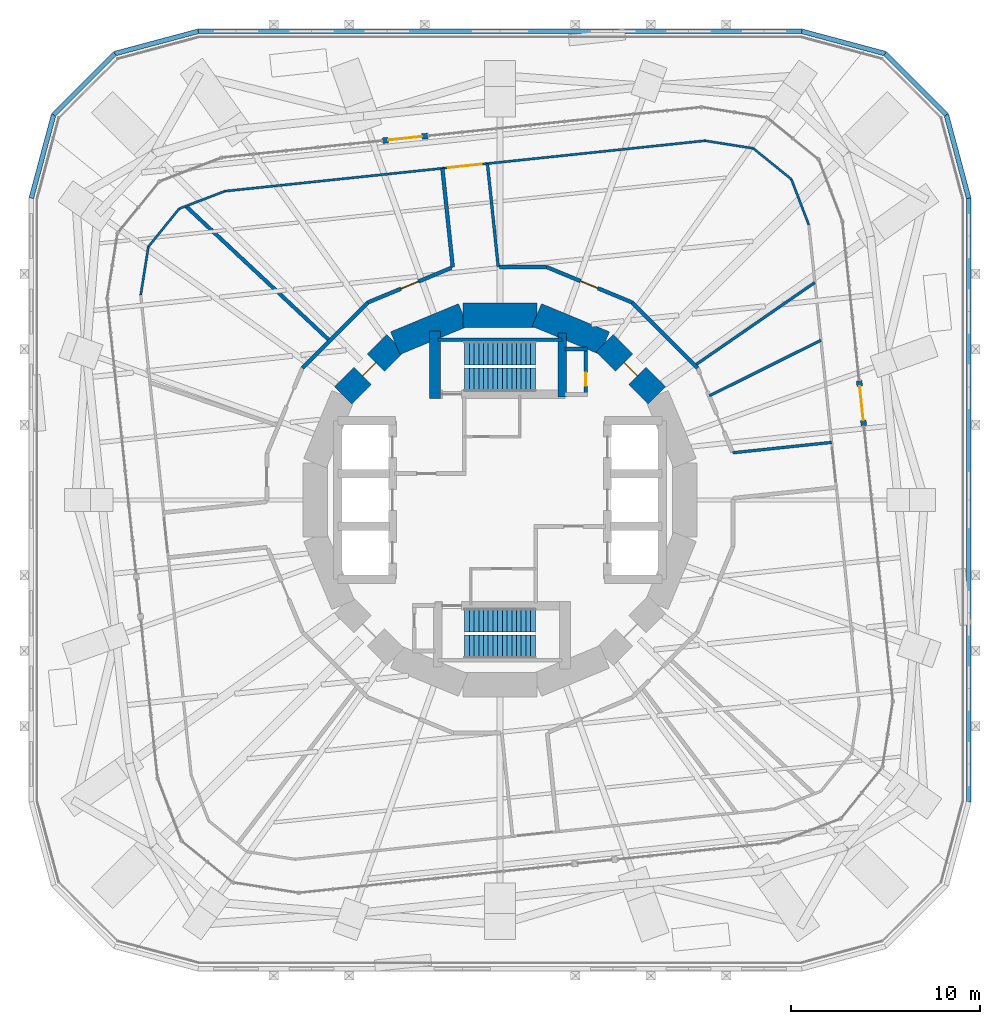
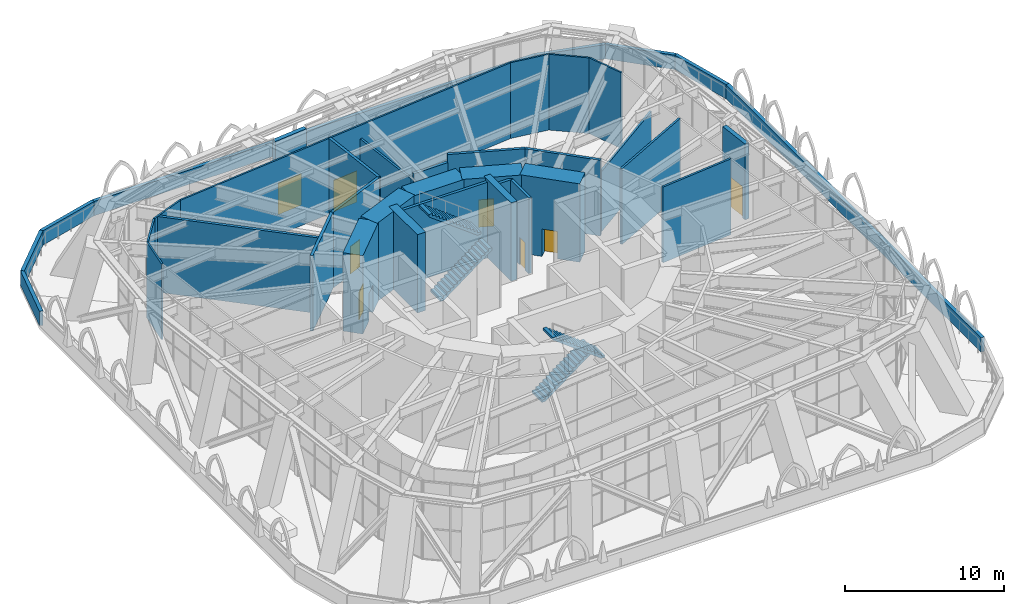
# One storey, part 17 of 20: 38 walls, 8 doors, 4 stair flights, 8 openings, 2 elements without a shape of their own.
"""IFC4 building model written with IfcOpenShell, lengths in metres."""

from ifc_helpers import new_model, si_unit, direction, frame, frame_2d, origin, place, context, subcontext, project, spatial, polyline, rectangle, outline, extrude, material, layer, layer_set, type_object, element, fill, aggregate, save


model = new_model("IFC4")

# Units and contexts
model_context = context("Model", 3, precision=1e-05, world=origin(), true_north=direction((0.0, 1.0)))
body_context = subcontext(model_context, "Body", "Model", "MODEL_VIEW")
ifc_project = project(units=[si_unit("LENGTHUNIT", "METRE"), si_unit("AREAUNIT", "SQUARE_METRE"), si_unit("VOLUMEUNIT", "CUBIC_METRE"), si_unit("PLANEANGLEUNIT", "RADIAN"), si_unit("MASSUNIT", "GRAM", prefix="KILO")], contexts=[model_context])

# Site, building, storey
site_placement = place(None, origin())
site = spatial("IfcSite", under=ifc_project, at=site_placement, CompositionType="ELEMENT")
building_placement = place(site_placement, origin())
building = spatial("IfcBuilding", under=site, at=building_placement, Name="Nakasero Lantern House", CompositionType="ELEMENT")
storey_placement = place(building_placement, frame((0.0, 0.0, 54.5)))
storey = spatial("IfcBuildingStorey", under=building, at=storey_placement, Name="L13", CompositionType="ELEMENT", Elevation=54.5)

# Walls
ifc_material_1 = material(Name="Concrete C50/60", Category="concrete")
ifc_layer_1 = layer(ifc_material_1, 0.449951171875)
ifc_layer_set_1 = layer_set([ifc_layer_1], Name="Core inner wall 450")
wall_type_1 = type_object("IfcWallType", Name="Core inner wall 450", PredefinedType="SHEAR", material=ifc_layer_set_1)
wall_1_placement = place(storey_placement, frame((3.300048828125, 5.449951171875, 0.0), z_axis=(0.0, 0.0, 1.0), x_axis=(0.0, 1.0, 0.0)))
element("IfcWall", 1, at=wall_1_placement, inside=storey, type_object=wall_type_1, Name="Core inner wall L13 SNE", PredefinedType="SHEAR", context=body_context, shape_type="SweptSolid", body=[
    extrude(rectangle(XDim=3.400146484375, YDim=0.449951171875, at=frame_2d((1.7001953125, 0.0))), origin(), (0.0, 0.0, 1.0), 6.0),
])
ifc_material_2 = material(Name="Concrete C50/60", Category="concrete")
ifc_layer_2 = layer(ifc_material_2, 0.60009765625)
ifc_layer_set_2 = layer_set([ifc_layer_2], Name="Core inner wall 600")
wall_type_2 = type_object("IfcWallType", Name="Core inner wall 600", PredefinedType="SHEAR", material=ifc_layer_set_2)
wall_2_placement = place(storey_placement, frame((-3.449951171875, 5.375, 0.0), z_axis=(0.0, 0.0, 1.0), x_axis=(0.0, 1.0, 0.0)))
element("IfcWall", 2, at=wall_2_placement, inside=storey, type_object=wall_type_2, Name="Core inner wall L13 SNW", PredefinedType="SHEAR", context=body_context, shape_type="SweptSolid", body=[
    extrude(rectangle(XDim=3.574951171875, YDim=0.60009765625, at=frame_2d((1.78759765625, 0.0))), origin(), (0.0, 0.0, 1.0), 6.0),
])

# Wall, opening, door
ifc_material_3 = material(Name="Concrete C50/60", Category="concrete")
ifc_layer_3 = layer(ifc_material_3, 1.300048828125)
ifc_layer_set_3 = layer_set([ifc_layer_3], Name="Core wall 1300")
wall_type_3 = type_object("IfcWallType", Name="Core wall 1300", PredefinedType="SHEAR", material=ifc_layer_set_3)
wall_3_placement = place(storey_placement, frame((8.314697265625, 5.5556640625, 0.0), z_axis=(0.0, 0.0, 1.0), x_axis=(-0.707106781187, 0.707106781187, 0.0)))
wall_3 = element("IfcWall", 3, at=wall_3_placement, inside=storey, type_object=wall_type_3, Name="Core wall L13 facet 2", PredefinedType="SHEAR", context=body_context, shape_type="SweptSolid", body=[
    extrude(rectangle(XDim=3.90185546875, YDim=1.300048828125, at=frame_2d((1.950927734375, 0.0))), origin(), (0.0, 0.0, 1.0), 6.0),
])
opening_1_placement = place(wall_3_placement, frame((1.450927734375, 0.0, 0.0)))
opening_1 = element("IfcOpeningElement", 4, at=opening_1_placement, cuts=wall_3, Name="Opening D05", PredefinedType="OPENING", context=body_context, shape_type="SweptSolid", body=[
    extrude(rectangle(XDim=1.0, YDim=2.10009765625, at=frame_2d((0.5, 1.050048828125))), frame((0.0, 0.669921875, 0.0), z_axis=(0.0, -1.0, 0.0), x_axis=(1.0, 0.0, 0.0)), (0.0, 0.0, 1.0), 1.340087890625),
])
ifc_material_4 = material(Name="Timber C24", Category="wood")
door_type_1 = type_object("IfcDoorType", Name="Core door FD60S 1000", OperationType="SINGLE_SWING_LEFT", PredefinedType="DOOR", material=ifc_material_4)
door_1_placement = place(opening_1_placement, origin())
door_1 = element("IfcDoor", 5, at=door_1_placement, inside=storey, type_object=door_type_1, Name="Door L13 D-CORE02", OperationType="SINGLE_SWING_LEFT", OverallHeight=2.10009765625, OverallWidth=1.0, PredefinedType="DOOR", context=body_context, shape_type="SweptSolid", body=[
    extrude(rectangle(XDim=1.0, YDim=2.10009765625, at=frame_2d((0.5, 1.050048828125))), frame((0.0, 0.02490234375, 0.0), z_axis=(0.0, -1.0, 0.0), x_axis=(1.0, 0.0, 0.0)), (0.0, 0.0, 1.0), 0.050048828125),
])
fill(opening_1, door_1)

# Walls
for number, where, z_axis, x_axis, name in (
    (6, (5.5556640625, 8.314697265625, 0.0), (0.0, 0.0, 1.0), (-0.923876507187, 0.382690736062, 0.0), "Core wall L13 facet 3"),
    (7, (1.950927734375, 9.807861328125, 0.0), (0.0, 0.0, 1.0), (-1.0, 0.0, 0.0), "Core wall L13 facet 4"),
    (8, (-1.950927734375, 9.807861328125, 0.0), (0.0, 0.0, 1.0), (-0.923876507187, -0.382690736062, 0.0), "Core wall L13 facet 5"),
):
    element("IfcWall", number, at=place(storey_placement, frame(where, z_axis=z_axis, x_axis=x_axis)), inside=storey, type_object=wall_type_3, Name=name, PredefinedType="SHEAR", context=body_context, shape_type="SweptSolid", body=[
        extrude(rectangle(XDim=3.90185546875, YDim=1.300048828125, at=frame_2d((1.950927734375, 0.0))), origin(), (0.0, 0.0, 1.0), 6.0),
    ])

# Wall, opening, door
wall_4_placement = place(storey_placement, frame((-5.5556640625, 8.314697265625, 0.0), z_axis=(0.0, 0.0, 1.0), x_axis=(-0.707106781187, -0.707106781187, 0.0)))
wall_4 = element("IfcWall", 9, at=wall_4_placement, inside=storey, type_object=wall_type_3, Name="Core wall L13 facet 6", PredefinedType="SHEAR", context=body_context, shape_type="SweptSolid", body=[
    extrude(rectangle(XDim=3.90185546875, YDim=1.300048828125, at=frame_2d((1.950927734375, 0.0))), origin(), (0.0, 0.0, 1.0), 6.0),
])
opening_2_placement = place(wall_4_placement, frame((1.450927734375, 0.0, 0.0)))
opening_2 = element("IfcOpeningElement", 10, at=opening_2_placement, cuts=wall_4, Name="Opening D05", PredefinedType="OPENING", context=body_context, shape_type="SweptSolid", body=[
    extrude(rectangle(XDim=1.0, YDim=2.10009765625, at=frame_2d((0.5, 1.050048828125))), frame((0.0, 0.669921875, 0.0), z_axis=(0.0, -1.0, 0.0), x_axis=(1.0, 0.0, 0.0)), (0.0, 0.0, 1.0), 1.340087890625),
])
door_2_placement = place(opening_2_placement, origin())
door_2 = element("IfcDoor", 11, at=door_2_placement, inside=storey, type_object=door_type_1, Name="Door L13 D-CORE06", OperationType="SINGLE_SWING_LEFT", OverallHeight=2.10009765625, OverallWidth=1.0, PredefinedType="DOOR", context=body_context, shape_type="SweptSolid", body=[
    extrude(rectangle(XDim=1.0, YDim=2.10009765625, at=frame_2d((0.5, 1.050048828125))), frame((0.0, 0.02490234375, 0.0), z_axis=(0.0, -1.0, 0.0), x_axis=(1.0, 0.0, 0.0)), (0.0, 0.0, 1.0), 0.050048828125),
])
fill(opening_2, door_2)

# Wall
ifc_material_5 = material(Name="Blockwork", Category="masonry")
ifc_layer_4 = layer(ifc_material_5, 0.199951171875)
ifc_layer_set_4 = layer_set([ifc_layer_4], Name="Corridor wall 200")
wall_type_4 = type_object("IfcWallType", Name="Corridor wall 200", PredefinedType="PARTITIONING", material=ifc_layer_set_4)
wall_5_placement = place(storey_placement, frame((-10.4765625, 7.000244140625, 0.0), z_axis=(0.0, 0.0, 1.0), x_axis=(0.707106781187, 0.707106781187, 0.0)))
element("IfcWall", 12, at=wall_5_placement, inside=storey, type_object=wall_type_4, Name="Corridor wall L13 TC10", PredefinedType="PARTITIONING", context=body_context, shape_type="SweptSolid", body=[
    extrude(rectangle(XDim=4.916259765625, YDim=0.199951171875, at=frame_2d((2.4580078125, 0.0))), origin(), (0.0, 0.0, 1.0), 5.800048828125),
])

# Wall, opening, door
wall_6_placement = place(storey_placement, frame((-7.000244140625, 10.4765625, 0.0), z_axis=(0.0, 0.0, 1.0), x_axis=(0.923893813783, 0.382648952505, 0.0)))
wall_6 = element("IfcWall", 13, at=wall_6_placement, inside=storey, type_object=wall_type_4, Name="Corridor wall L13 TC11", PredefinedType="PARTITIONING", context=body_context, shape_type="SweptSolid", body=[
    extrude(rectangle(XDim=4.7890625, YDim=0.199951171875, at=frame_2d((2.39453125, 0.0))), origin(), (0.0, 0.0, 1.0), 5.800048828125),
])
opening_3_placement = place(wall_6_placement, frame((1.89453125, 0.0, 0.0)))
opening_3 = element("IfcOpeningElement", 14, at=opening_3_placement, cuts=wall_6, Name="Opening D13", PredefinedType="OPENING", context=body_context, shape_type="SweptSolid", body=[
    extrude(rectangle(XDim=1.0, YDim=2.10009765625, at=frame_2d((0.5, 1.050048828125))), frame((0.0, 0.119873046875, 0.0), z_axis=(0.0, -1.0, 0.0), x_axis=(1.0, 0.0, 0.0)), (0.0, 0.0, 1.0), 0.239990234375),
])
ifc_material_6 = material(Name="Steel S355", Category="steel")
door_type_2 = type_object("IfcDoorType", Name="Plant room door FD60 1000", OperationType="SINGLE_SWING_LEFT", PredefinedType="DOOR", material=ifc_material_6)
door_3_placement = place(opening_3_placement, origin())
door_3 = element("IfcDoor", 15, at=door_3_placement, inside=storey, type_object=door_type_2, Name="Door L13 TDR10", OperationType="SINGLE_SWING_LEFT", OverallHeight=2.10009765625, OverallWidth=1.0, PredefinedType="DOOR", context=body_context, shape_type="SweptSolid", body=[
    extrude(rectangle(XDim=1.0, YDim=2.10009765625, at=frame_2d((0.5, 1.050048828125))), frame((0.0, 0.02490234375, 0.0), z_axis=(0.0, -1.0, 0.0), x_axis=(1.0, 0.0, 0.0)), (0.0, 0.0, 1.0), 0.050048828125),
])
fill(opening_3, door_3)

# Wall
wall_7_placement = place(storey_placement, frame((-0.016845703125, 12.35791015625, 0.0), z_axis=(0.0, 0.0, 1.0), x_axis=(1.0, 0.0, 0.0)))
element("IfcWall", 16, at=wall_7_placement, inside=storey, type_object=wall_type_4, Name="Corridor wall L13 TC12", PredefinedType="PARTITIONING", context=body_context, shape_type="SweptSolid", body=[
    extrude(rectangle(XDim=2.474853515625, YDim=0.199951171875, at=frame_2d((1.2373046875, 0.0))), origin(), (0.0, 0.0, 1.0), 5.187744140625),
])

# Wall, opening, door
wall_8_placement = place(storey_placement, frame((2.4580078125, 12.35791015625, 0.0), z_axis=(0.0, 0.0, 1.0), x_axis=(0.923887315722, -0.382664641492, 0.0)))
wall_8 = element("IfcWall", 17, at=wall_8_placement, inside=storey, type_object=wall_type_4, Name="Corridor wall L13 TC13", PredefinedType="PARTITIONING", context=body_context, shape_type="SweptSolid", body=[
    extrude(rectangle(XDim=4.91650390625, YDim=0.199951171875, at=frame_2d((2.458251953125, 0.0))), origin(), (0.0, 0.0, 1.0), 5.800048828125),
])
opening_4_placement = place(wall_8_placement, frame((1.958251953125, 0.0, 0.0)))
opening_4 = element("IfcOpeningElement", 18, at=opening_4_placement, cuts=wall_8, Name="Opening D07", PredefinedType="OPENING", context=body_context, shape_type="SweptSolid", body=[
    extrude(rectangle(XDim=1.0, YDim=2.10009765625, at=frame_2d((0.5, 1.050048828125))), frame((0.0, 0.119873046875, 0.0), z_axis=(0.0, -1.0, 0.0), x_axis=(1.0, 0.0, 0.0)), (0.0, 0.0, 1.0), 0.239990234375),
])
ifc_material_7 = material(Name="Timber C24", Category="wood")
door_type_3 = type_object("IfcDoorType", Name="Room door FD30S 1000", OperationType="SINGLE_SWING_LEFT", PredefinedType="DOOR", material=ifc_material_7)
door_4_placement = place(opening_4_placement, origin())
door_4 = element("IfcDoor", 19, at=door_4_placement, inside=storey, type_object=door_type_3, Name="Door L13 TDR02", OperationType="SINGLE_SWING_RIGHT", OverallHeight=2.10009765625, OverallWidth=1.0, PredefinedType="DOOR", context=body_context, shape_type="SweptSolid", body=[
    extrude(rectangle(XDim=1.0, YDim=2.10009765625, at=frame_2d((0.5, 1.050048828125))), frame((0.0, 0.02490234375, 0.0), z_axis=(0.0, -1.0, 0.0), x_axis=(1.0, 0.0, 0.0)), (0.0, 0.0, 1.0), 0.050048828125),
])
fill(opening_4, door_4)

# Wall
wall_9_placement = place(storey_placement, frame((7.000244140625, 10.4765625, 0.0), z_axis=(0.0, 0.0, 1.0), x_axis=(0.707106781187, -0.707106781187, 0.0)))
element("IfcWall", 20, at=wall_9_placement, inside=storey, type_object=wall_type_4, Name="Corridor wall L13 TC14", PredefinedType="PARTITIONING", context=body_context, shape_type="SweptSolid", body=[
    extrude(rectangle(XDim=4.916259765625, YDim=0.199951171875, at=frame_2d((2.4580078125, 0.0))), origin(), (0.0, 0.0, 1.0), 5.800048828125),
])

# Wall, opening, door
ifc_material_8 = material(Name="Concrete C40/50", Category="concrete")
ifc_layer_5 = layer(ifc_material_8, 0.300048828125)
ifc_layer_set_5 = layer_set([ifc_layer_5], Name="Entrance portal wall 300")
wall_type_5 = type_object("IfcWallType", Name="Entrance portal wall 300", PredefinedType="SOLIDWALL", material=ifc_layer_set_5)
wall_10_placement = place(storey_placement, frame((19.29296875, 3.938232421875, 0.0), z_axis=(0.0, 0.0, 1.0), x_axis=(-0.104467683877, 0.994528281662, 0.0)))
wall_10 = element("IfcWall", 21, at=wall_10_placement, inside=storey, type_object=wall_type_5, Name="Sky lounge door wall L13 0", PredefinedType="SOLIDWALL", context=body_context, shape_type="SweptSolid", body=[
    extrude(rectangle(XDim=2.400146484375, YDim=0.300048828125, at=frame_2d((1.2001953125, 0.0))), origin(), (0.0, 0.0, 1.0), 5.800048828125),
])
opening_5_placement = place(wall_10_placement, frame((0.300048828125, 0.0, 0.0)))
opening_5 = element("IfcOpeningElement", 22, at=opening_5_placement, cuts=wall_10, Name="Opening D10", PredefinedType="OPENING", context=body_context, shape_type="SweptSolid", body=[
    extrude(rectangle(XDim=1.800048828125, YDim=2.39990234375, at=frame_2d((0.89990234375, 1.199951171875))), frame((0.0, 0.169921875, 0.0), z_axis=(0.0, -1.0, 0.0), x_axis=(1.0, 0.0, 0.0)), (0.0, 0.0, 1.0), 0.340087890625),
])
ifc_material_9 = material(Name="Aluminium 6063-T6 and glass", Category="aluminium")
door_type_4 = type_object("IfcDoorType", Name="Sky garden doors 1800x2400", OperationType="DOUBLE_DOOR_SINGLE_SWING", PredefinedType="DOOR", material=ifc_material_9)
door_5_placement = place(opening_5_placement, origin())
door_5 = element("IfcDoor", 23, at=door_5_placement, inside=storey, type_object=door_type_4, Name="Sky garden door L13 0", OperationType="DOUBLE_DOOR_SINGLE_SWING", OverallHeight=2.39990234375, OverallWidth=1.800048828125, PredefinedType="DOOR", context=body_context, shape_type="SweptSolid", body=[
    extrude(rectangle(XDim=1.800048828125, YDim=2.39990234375, at=frame_2d((0.89990234375, 1.199951171875))), frame((0.0, 0.02490234375, 0.0), z_axis=(0.0, -1.0, 0.0), x_axis=(1.0, 0.0, 0.0)), (0.0, 0.0, 1.0), 0.050048828125),
])
fill(opening_5, door_5)

wall_11_placement = place(storey_placement, frame((-3.8388671875, 19.303466796875, 0.0), z_axis=(0.0, 0.0, 1.0), x_axis=(-0.994527171359, -0.104478253374, 0.0)))
wall_11 = element("IfcWall", 24, at=wall_11_placement, inside=storey, type_object=wall_type_5, Name="Sky lounge door wall L13 1", PredefinedType="SOLIDWALL", context=body_context, shape_type="SweptSolid", body=[
    extrude(rectangle(XDim=2.39990234375, YDim=0.300048828125, at=frame_2d((1.199951171875, 0.0))), origin(), (0.0, 0.0, 1.0), 5.800048828125),
])
opening_6_placement = place(wall_11_placement, frame((0.300048828125, 0.0, 0.0)))
opening_6 = element("IfcOpeningElement", 25, at=opening_6_placement, cuts=wall_11, Name="Opening D10", PredefinedType="OPENING", context=body_context, shape_type="SweptSolid", body=[
    extrude(rectangle(XDim=1.800048828125, YDim=2.39990234375, at=frame_2d((0.89990234375, 1.199951171875))), frame((0.0, 0.169921875, 0.0), z_axis=(0.0, -1.0, 0.0), x_axis=(1.0, 0.0, 0.0)), (0.0, 0.0, 1.0), 0.340087890625),
])
door_6_placement = place(opening_6_placement, origin())
door_6 = element("IfcDoor", 26, at=door_6_placement, inside=storey, type_object=door_type_4, Name="Sky garden door L13 1", OperationType="DOUBLE_DOOR_SINGLE_SWING", OverallHeight=2.39990234375, OverallWidth=1.800048828125, PredefinedType="DOOR", context=body_context, shape_type="SweptSolid", body=[
    extrude(rectangle(XDim=1.800048828125, YDim=2.39990234375, at=frame_2d((0.89990234375, 1.199951171875))), frame((0.0, 0.02490234375, 0.0), z_axis=(0.0, -1.0, 0.0), x_axis=(1.0, 0.0, 0.0)), (0.0, 0.0, 1.0), 0.050048828125),
])
fill(opening_6, door_6)

ifc_material_10 = material(Name="Blockwork", Category="masonry")
ifc_layer_6 = layer(ifc_material_10, 0.199951171875)
ifc_layer_set_6 = layer_set([ifc_layer_6], Name="Fire lobby wall 200")
wall_type_6 = type_object("IfcWallType", Name="Fire lobby wall 200", PredefinedType="PARTITIONING", material=ifc_layer_set_6)
wall_12_placement = place(storey_placement, frame((4.550048828125, 5.60009765625, 0.0), z_axis=(0.0, 0.0, 1.0), x_axis=(0.0, 1.0, 0.0)))
wall_12 = element("IfcWall", 27, at=wall_12_placement, inside=storey, type_object=wall_type_6, Name="Fire lobby wall L13 W-RS1E", PredefinedType="PARTITIONING", context=body_context, shape_type="SweptSolid", body=[
    extrude(rectangle(XDim=2.39990234375, YDim=0.199951171875, at=frame_2d((1.199951171875, 0.0))), origin(), (0.0, 0.0, 1.0), 5.800048828125),
])
opening_7_placement = place(wall_12_placement, frame((0.449951171875, 0.0, 0.0)))
opening_7 = element("IfcOpeningElement", 28, at=opening_7_placement, cuts=wall_12, Name="Opening D06", PredefinedType="OPENING", context=body_context, shape_type="SweptSolid", body=[
    extrude(rectangle(XDim=0.699951171875, YDim=2.10009765625, at=frame_2d((0.35009765625, 1.050048828125))), frame((0.0, 0.119873046875, 0.0), z_axis=(0.0, -1.0, 0.0), x_axis=(1.0, 0.0, 0.0)), (0.0, 0.0, 1.0), 0.239990234375),
])
ifc_material_11 = material(Name="Steel S355", Category="steel")
door_type_5 = type_object("IfcDoorType", Name="Riser door FD60 700", OperationType="SINGLE_SWING_LEFT", PredefinedType="DOOR", material=ifc_material_11)
door_7_placement = place(opening_7_placement, origin())
door_7 = element("IfcDoor", 29, at=door_7_placement, inside=storey, type_object=door_type_5, Name="Door L13 D-RS1", OperationType="SINGLE_SWING_LEFT", OverallHeight=2.10009765625, OverallWidth=0.699951171875, PredefinedType="DOOR", context=body_context, shape_type="SweptSolid", body=[
    extrude(rectangle(XDim=0.699951171875, YDim=2.10009765625, at=frame_2d((0.35009765625, 1.050048828125))), frame((0.0, 0.02490234375, 0.0), z_axis=(0.0, -1.0, 0.0), x_axis=(1.0, 0.0, 0.0)), (0.0, 0.0, 1.0), 0.050048828125),
])
fill(opening_7, door_7)

# Walls
wall_13_placement = place(storey_placement, frame((3.449951171875, 8.0, 0.0), z_axis=(0.0, 0.0, 1.0), x_axis=(1.0, 0.0, 0.0)))
element("IfcWall", 30, at=wall_13_placement, inside=storey, type_object=wall_type_6, Name="Fire lobby wall L13 W-RS1N", PredefinedType="PARTITIONING", context=body_context, shape_type="SweptSolid", body=[
    extrude(rectangle(XDim=1.199951171875, YDim=0.199951171875, at=frame_2d((0.60009765625, 0.0))), origin(), (0.0, 0.0, 1.0), 5.800048828125),
])
wall_14_placement = place(storey_placement, frame((-3.300048828125, 8.5, 0.0), z_axis=(0.0, 0.0, 1.0), x_axis=(1.0, 0.0, 0.0)))
element("IfcWall", 31, at=wall_14_placement, inside=storey, type_object=wall_type_6, Name="Fire lobby wall L13 W-STN", PredefinedType="PARTITIONING", context=body_context, shape_type="SweptSolid", body=[
    extrude(rectangle(XDim=6.60009765625, YDim=0.199951171875, at=frame_2d((3.300048828125, 0.0))), origin(), (0.0, 0.0, 1.0), 5.800048828125),
])
wall_15_placement = place(storey_placement, frame((-9.029541015625, 8.447021484375, 0.0), z_axis=(0.0, 0.0, 1.0), x_axis=(-0.730280443475, 0.683147475936, 0.0)))
element("IfcWall", 32, at=wall_15_placement, inside=storey, type_object=wall_type_6, Name="Fire lobby wall L13 TD10", PredefinedType="PARTITIONING", context=body_context, shape_type="SweptSolid", body=[
    extrude(rectangle(XDim=10.442626953125, YDim=0.199951171875, at=frame_2d((5.22119140625, 0.0))), origin(), (0.0, 0.0, 1.0), 5.800048828125),
])
wall_16_placement = place(storey_placement, frame((-2.50341796875, 12.339111328125, 0.0), z_axis=(0.0, 0.0, 1.0), x_axis=(-0.10454265205, 0.994520403965, 0.0)))
element("IfcWall", 33, at=wall_16_placement, inside=storey, type_object=wall_type_6, Name="Fire lobby wall L13 TP1L", PredefinedType="PARTITIONING", context=body_context, shape_type="SweptSolid", body=[
    extrude(rectangle(XDim=5.275390625, YDim=0.199951171875, at=frame_2d((2.6376953125, 0.0))), origin(), (0.0, 0.0, 1.0), 5.800048828125),
])
ifc_material_12 = material(Name="Aluminium 6063-T6 and glass", Category="aluminium")
ifc_layer_7 = layer(ifc_material_12, 0.1201171875)
ifc_layer_set_7 = layer_set([ifc_layer_7], Name="Glazed screen 120")
wall_type_7 = type_object("IfcWallType", Name="Glazed screen 120", PredefinedType="PARTITIONING", material=ifc_layer_set_7)
for number, where, z_axis, x_axis, name in (
    (34, (16.373291015625, 14.59130859375, 0.0), (0.0, 0.0, 1.0), (-0.358366972356, 0.933580801605, 0.0), "Glazed screen L13 WG0C1"),
    (35, (15.444091796875, 17.011962890625, 0.0), (0.0, 0.0, 1.0), (-0.777152760202, 0.629311995206, 0.0), "Glazed screen L13 WG0C2"),
    (36, (13.42919921875, 18.6435546875, 0.0), (0.0, 0.0, 1.0), (-0.98769262344, 0.156407421826, 0.0), "Glazed screen L13 WG0C3"),
):
    element("IfcWall", number, at=place(storey_placement, frame(where, z_axis=z_axis, x_axis=x_axis)), inside=storey, type_object=wall_type_7, Name=name, PredefinedType="PARTITIONING", context=body_context, shape_type="SweptSolid", body=[
        extrude(rectangle(XDim=2.5927734375, YDim=0.1201171875, at=frame_2d((1.29638671875, 0.0))), origin(), (0.0, 0.0, 1.0), 5.800048828125),
    ])

# Wall, opening, door
wall_17_placement = place(storey_placement, frame((10.868408203125, 19.049072265625, 0.0), z_axis=(0.0, 0.0, 1.0), x_axis=(-0.99452247529, -0.104522945535, 0.0)))
wall_17 = element("IfcWall", 37, at=wall_17_placement, inside=storey, type_object=wall_type_7, Name="Glazed screen L13 WG1S", PredefinedType="PARTITIONING", context=body_context, shape_type="SweptSolid", body=[
    extrude(rectangle(XDim=25.599853515625, YDim=0.1201171875, at=frame_2d((12.7998046875, 0.0))), origin(), (0.0, 0.0, 1.0), 5.800048828125),
])
opening_8_placement = place(wall_17_placement, frame((11.89990234375, 0.0, 0.0)))
opening_8 = element("IfcOpeningElement", 38, at=opening_8_placement, cuts=wall_17, Name="Opening D18", PredefinedType="OPENING", context=body_context, shape_type="SweptSolid", body=[
    extrude(rectangle(XDim=1.800048828125, YDim=2.39990234375, at=frame_2d((0.89990234375, 1.199951171875))), frame((0.0, 0.080078125, 0.0), z_axis=(0.0, -1.0, 0.0), x_axis=(1.0, 0.0, 0.0)), (0.0, 0.0, 1.0), 0.16015625),
])
ifc_material_13 = material(Name="Aluminium 6063-T6 and glass", Category="aluminium")
door_type_6 = type_object("IfcDoorType", Name="Glazed screen door 1800", OperationType="DOUBLE_DOOR_SINGLE_SWING", PredefinedType="DOOR", material=ifc_material_13)
door_8_placement = place(opening_8_placement, origin())
door_8 = element("IfcDoor", 39, at=door_8_placement, inside=storey, type_object=door_type_6, Name="Door L13 DW1", OperationType="DOUBLE_DOOR_SINGLE_SWING", OverallHeight=2.39990234375, OverallWidth=1.800048828125, PredefinedType="DOOR", context=body_context, shape_type="SweptSolid", body=[
    extrude(rectangle(XDim=1.800048828125, YDim=2.39990234375, at=frame_2d((0.89990234375, 1.199951171875))), frame((0.0, 0.02490234375, 0.0), z_axis=(0.0, -1.0, 0.0), x_axis=(1.0, 0.0, 0.0)), (0.0, 0.0, 1.0), 0.050048828125),
])
fill(opening_8, door_8)

# Walls
for number, where, z_axis, x_axis, name in (
    (40, (-14.59130859375, 16.373291015625, 0.0), (0.0, 0.0, 1.0), (-0.933580801605, -0.358366972356, 0.0), "Glazed screen L13 WG1C1"),
    (41, (-17.011962890625, 15.444091796875, 0.0), (0.0, 0.0, 1.0), (-0.629311995206, -0.777152760202, 0.0), "Glazed screen L13 WG1C2"),
    (42, (-18.6435546875, 13.42919921875, 0.0), (0.0, 0.0, 1.0), (-0.156407421826, -0.98769262344, 0.0), "Glazed screen L13 WG1C3"),
):
    element("IfcWall", number, at=place(storey_placement, frame(where, z_axis=z_axis, x_axis=x_axis)), inside=storey, type_object=wall_type_7, Name=name, PredefinedType="PARTITIONING", context=body_context, shape_type="SweptSolid", body=[
        extrude(rectangle(XDim=2.5927734375, YDim=0.1201171875, at=frame_2d((1.29638671875, 0.0))), origin(), (0.0, 0.0, 1.0), 5.800048828125),
    ])
ifc_material_14 = material(Name="Concrete C35/45", Category="concrete")
ifc_layer_8 = layer(ifc_material_14, 0.25)
ifc_layer_set_8 = layer_set([ifc_layer_8], Name="Parapet 250")
wall_type_8 = type_object("IfcWallType", Name="Parapet 250", PredefinedType="SOLIDWALL", material=ifc_layer_set_8)
wall_18_placement = place(storey_placement, frame((24.85009765625, -16.0, 0.0), z_axis=(0.0, 0.0, 1.0), x_axis=(0.0, 1.0, 0.0)))
element("IfcWall", 43, at=wall_18_placement, inside=storey, type_object=wall_type_8, Name="Parapet L13 PP0S", PredefinedType="SOLIDWALL", context=body_context, shape_type="SweptSolid", body=[
    extrude(rectangle(XDim=32.0, YDim=0.25, at=frame_2d((16.0, 0.0))), origin(), (0.0, 0.0, 1.0), 1.10009765625),
])
for number, where, z_axis, x_axis, name in (
    (44, (24.85009765625, 16.0, 0.0), (0.0, 0.0, 1.0), (-0.258839972501, 0.965920218567, 0.0), "Parapet L13 PP0C1"),
    (45, (23.664306640625, 20.425048828125, 0.0), (0.0, 0.0, 1.0), (-0.707106781187, 0.707106781187, 0.0), "Parapet L13 PP0C2"),
    (46, (20.425048828125, 23.664306640625, 0.0), (0.0, 0.0, 1.0), (-0.965920218567, 0.258839972501, 0.0), "Parapet L13 PP0C3"),
):
    element("IfcWall", number, at=place(storey_placement, frame(where, z_axis=z_axis, x_axis=x_axis)), inside=storey, type_object=wall_type_8, Name=name, PredefinedType="SOLIDWALL", context=body_context, shape_type="SweptSolid", body=[
        extrude(rectangle(XDim=4.5810546875, YDim=0.25, at=frame_2d((2.29052734375, 0.0))), origin(), (0.0, 0.0, 1.0), 1.10009765625),
    ])
wall_19_placement = place(storey_placement, frame((16.0, 24.85009765625, 0.0), z_axis=(0.0, 0.0, 1.0), x_axis=(-1.0, 0.0, 0.0)))
element("IfcWall", 47, at=wall_19_placement, inside=storey, type_object=wall_type_8, Name="Parapet L13 PP1S", PredefinedType="SOLIDWALL", context=body_context, shape_type="SweptSolid", body=[
    extrude(rectangle(XDim=32.0, YDim=0.25, at=frame_2d((16.0, 0.0))), origin(), (0.0, 0.0, 1.0), 1.10009765625),
])
for number, where, z_axis, x_axis, name in (
    (48, (-16.0, 24.85009765625, 0.0), (0.0, 0.0, 1.0), (-0.965920218567, -0.258839972501, 0.0), "Parapet L13 PP1C1"),
    (49, (-20.425048828125, 23.664306640625, 0.0), (0.0, 0.0, 1.0), (-0.707106781187, -0.707106781187, 0.0), "Parapet L13 PP1C2"),
    (50, (-23.664306640625, 20.425048828125, 0.0), (0.0, 0.0, 1.0), (-0.258839972501, -0.965920218567, 0.0), "Parapet L13 PP1C3"),
):
    element("IfcWall", number, at=place(storey_placement, frame(where, z_axis=z_axis, x_axis=x_axis)), inside=storey, type_object=wall_type_8, Name=name, PredefinedType="SOLIDWALL", context=body_context, shape_type="SweptSolid", body=[
        extrude(rectangle(XDim=4.5810546875, YDim=0.25, at=frame_2d((2.29052734375, 0.0))), origin(), (0.0, 0.0, 1.0), 1.10009765625),
    ])
ifc_material_15 = material(Name="Blockwork", Category="masonry")
ifc_layer_9 = layer(ifc_material_15, 0.14990234375)
ifc_layer_set_9 = layer_set([ifc_layer_9], Name="Party wall 150")
wall_type_9 = type_object("IfcWallType", Name="Party wall 150", PredefinedType="PARTITIONING", material=ifc_layer_set_9)
wall_20_placement = place(storey_placement, frame((11.090087890625, 5.518798828125, 0.0), z_axis=(0.0, 0.0, 1.0), x_axis=(0.895266443632, 0.445531137976, 0.0)))
element("IfcWall", 51, at=wall_20_placement, inside=storey, type_object=wall_type_9, Name="Party wall L13 TD00", PredefinedType="PARTITIONING", context=body_context, shape_type="SweptSolid", body=[
    extrude(rectangle(XDim=6.6201171875, YDim=0.14990234375, at=frame_2d((3.31005859375, 0.0))), origin(), (0.0, 0.0, 1.0), 5.800048828125),
])
wall_21_placement = place(storey_placement, frame((10.336181640625, 7.140625, 0.0), z_axis=(0.0, 0.0, 1.0), x_axis=(0.822760422423, 0.568388324383, 0.0)))
element("IfcWall", 52, at=wall_21_placement, inside=storey, type_object=wall_type_9, Name="Party wall L13 TD01", PredefinedType="PARTITIONING", context=body_context, shape_type="SweptSolid", body=[
    extrude(rectangle(XDim=7.72802734375, YDim=0.14990234375, at=frame_2d((3.864013671875, 0.0))), origin(), (0.0, 0.0, 1.0), 4.60009765625),
])
wall_22_placement = place(storey_placement, frame((12.339111328125, 2.50341796875, 0.0), z_axis=(0.0, 0.0, 1.0), x_axis=(0.994520403965, 0.10454265205, 0.0)))
element("IfcWall", 53, at=wall_22_placement, inside=storey, type_object=wall_type_9, Name="Party wall L13 TP0L", PredefinedType="PARTITIONING", context=body_context, shape_type="SweptSolid", body=[
    extrude(rectangle(XDim=5.275390625, YDim=0.14990234375, at=frame_2d((2.6376953125, 0.0))), origin(), (0.0, 0.0, 1.0), 5.800048828125),
])
wall_23_placement = place(storey_placement, frame((-0.09228515625, 12.35791015625, 0.0), z_axis=(0.0, 0.0, 1.0), x_axis=(-0.10454406147, 0.994520255807, 0.0)))
element("IfcWall", 54, at=wall_23_placement, inside=storey, type_object=wall_type_9, Name="Party wall L13 TP1R", PredefinedType="PARTITIONING", context=body_context, shape_type="SweptSolid", body=[
    extrude(rectangle(XDim=5.509033203125, YDim=0.14990234375, at=frame_2d((2.75439453125, 0.0))), origin(), (0.0, 0.0, 1.0), 4.77392578125),
])

# Stair, stair flights
ifc_material_16 = material(Name="Concrete C40/50", Category="concrete")
stair_type_1 = type_object("IfcStairType", Name="Escape stair ST1 32 risers", PredefinedType="HALF_TURN_STAIR", material=ifc_material_16)
stair_1_placement = place(storey_placement, origin())
stair_1 = element("IfcStair", 55, at=stair_1_placement, inside=storey, type_object=stair_type_1, Name="Escape stair ST1 L13", PredefinedType="HALF_TURN_STAIR")
ifc_material_17 = material(Name="Concrete C40/50", Category="concrete")
stair_flight_type = type_object("IfcStairFlightType", Name="Escape stair flight", PredefinedType="STRAIGHT", material=ifc_material_17)
stair_flight_1_placement = place(storey_placement, frame((-1.875, 6.375, 0.0), z_axis=(0.0, 0.0, 1.0), x_axis=(1.0, 0.0, 0.0)))
stair_flight_1 = element("IfcStairFlight", 56, at=stair_flight_1_placement, type_object=stair_flight_type, Name="ST1 flight 1", NumberOfRisers=16, NumberOfTreads=15, PredefinedType="STRAIGHT", RiserHeight=0.1875, TreadLength=0.25, context=body_context, shape_type="SweptSolid", body=[
    extrude(outline(polyline([(0.0, 0.0), (0.0, 0.1875), (0.25, 0.1875), (0.25, 0.375), (0.5, 0.375), (0.5, 0.5625), (0.75, 0.5625), (0.75, 0.75), (1.0, 0.75), (1.0, 0.9375), (1.25, 0.9375), (1.25, 1.125), (1.5, 1.125), (1.5, 1.3125), (1.75, 1.3125), (1.75, 1.5), (2.0, 1.5), (2.0, 1.6875), (2.25, 1.6875), (2.25, 1.875), (2.5, 1.875), (2.5, 2.0625), (2.75, 2.0625), (2.75, 2.25), (3.0, 2.25), (3.0, 2.4375), (3.25, 2.4375), (3.25, 2.625), (3.5, 2.625), (3.5, 2.8125), (3.75, 2.8125), (3.75, 3.0), (3.75, 2.625), (0.249755859375, 0.0), (0.0, 0.0)])), frame((0.0, 0.625, 0.0), z_axis=(0.0, -1.0, 0.0), x_axis=(1.0, 0.0, 0.0)), (0.0, 0.0, 1.0), 1.25),
])
stair_flight_2_placement = place(storey_placement, frame((1.875, 7.77490234375, 3.0), z_axis=(0.0, 0.0, 1.0), x_axis=(-1.0, 0.0, 0.0)))
stair_flight_2 = element("IfcStairFlight", 57, at=stair_flight_2_placement, type_object=stair_flight_type, Name="ST1 flight 2", NumberOfRisers=16, NumberOfTreads=15, PredefinedType="STRAIGHT", RiserHeight=0.1875, TreadLength=0.25, context=body_context, shape_type="SweptSolid", body=[
    extrude(outline(polyline([(0.0, 0.0), (0.0, 0.1875), (0.25, 0.1875), (0.25, 0.375), (0.5, 0.375), (0.5, 0.5625), (0.75, 0.5625), (0.75, 0.75), (1.0, 0.75), (1.0, 0.9375), (1.25, 0.9375), (1.25, 1.125), (1.5, 1.125), (1.5, 1.3125), (1.75, 1.3125), (1.75, 1.5), (2.0, 1.5), (2.0, 1.6875), (2.25, 1.6875), (2.25, 1.875), (2.5, 1.875), (2.5, 2.0625), (2.75, 2.0625), (2.75, 2.25), (3.0, 2.25), (3.0, 2.4375), (3.25, 2.4375), (3.25, 2.625), (3.5, 2.625), (3.5, 2.8125), (3.75, 2.8125), (3.75, 3.0), (3.75, 2.625), (0.249755859375, 0.0), (0.0, 0.0)])), frame((0.0, 0.625, 0.0), z_axis=(0.0, -1.0, 0.0), x_axis=(1.0, 0.0, 0.0)), (0.0, 0.0, 1.0), 1.25),
])
aggregate(stair_1, [stair_flight_1, stair_flight_2])

ifc_material_18 = material(Name="Concrete C40/50", Category="concrete")
stair_type_2 = type_object("IfcStairType", Name="Escape stair ST2 32 risers", PredefinedType="HALF_TURN_STAIR", material=ifc_material_18)
stair_2_placement = place(storey_placement, origin())
stair_2 = element("IfcStair", 58, at=stair_2_placement, inside=storey, type_object=stair_type_2, Name="Escape stair ST2 L13", PredefinedType="HALF_TURN_STAIR")
stair_flight_3_placement = place(storey_placement, frame((-1.875, -6.375, 0.0), z_axis=(0.0, 0.0, 1.0), x_axis=(1.0, 0.0, 0.0)))
stair_flight_3 = element("IfcStairFlight", 59, at=stair_flight_3_placement, type_object=stair_flight_type, Name="ST2 flight 1", NumberOfRisers=16, NumberOfTreads=15, PredefinedType="STRAIGHT", RiserHeight=0.1875, TreadLength=0.25, context=body_context, shape_type="SweptSolid", body=[
    extrude(outline(polyline([(0.0, 0.0), (0.0, 0.1875), (0.25, 0.1875), (0.25, 0.375), (0.5, 0.375), (0.5, 0.5625), (0.75, 0.5625), (0.75, 0.75), (1.0, 0.75), (1.0, 0.9375), (1.25, 0.9375), (1.25, 1.125), (1.5, 1.125), (1.5, 1.3125), (1.75, 1.3125), (1.75, 1.5), (2.0, 1.5), (2.0, 1.6875), (2.25, 1.6875), (2.25, 1.875), (2.5, 1.875), (2.5, 2.0625), (2.75, 2.0625), (2.75, 2.25), (3.0, 2.25), (3.0, 2.4375), (3.25, 2.4375), (3.25, 2.625), (3.5, 2.625), (3.5, 2.8125), (3.75, 2.8125), (3.75, 3.0), (3.75, 2.625), (0.249755859375, 0.0), (0.0, 0.0)])), frame((0.0, 0.625, 0.0), z_axis=(0.0, -1.0, 0.0), x_axis=(1.0, 0.0, 0.0)), (0.0, 0.0, 1.0), 1.25),
])
stair_flight_4_placement = place(storey_placement, frame((1.875, -7.77490234375, 3.0), z_axis=(0.0, 0.0, 1.0), x_axis=(-1.0, 0.0, 0.0)))
stair_flight_4 = element("IfcStairFlight", 60, at=stair_flight_4_placement, type_object=stair_flight_type, Name="ST2 flight 2", NumberOfRisers=16, NumberOfTreads=15, PredefinedType="STRAIGHT", RiserHeight=0.1875, TreadLength=0.25, context=body_context, shape_type="SweptSolid", body=[
    extrude(outline(polyline([(0.0, 0.0), (0.0, 0.1875), (0.25, 0.1875), (0.25, 0.375), (0.5, 0.375), (0.5, 0.5625), (0.75, 0.5625), (0.75, 0.75), (1.0, 0.75), (1.0, 0.9375), (1.25, 0.9375), (1.25, 1.125), (1.5, 1.125), (1.5, 1.3125), (1.75, 1.3125), (1.75, 1.5), (2.0, 1.5), (2.0, 1.6875), (2.25, 1.6875), (2.25, 1.875), (2.5, 1.875), (2.5, 2.0625), (2.75, 2.0625), (2.75, 2.25), (3.0, 2.25), (3.0, 2.4375), (3.25, 2.4375), (3.25, 2.625), (3.5, 2.625), (3.5, 2.8125), (3.75, 2.8125), (3.75, 3.0), (3.75, 2.625), (0.249755859375, 0.0), (0.0, 0.0)])), frame((0.0, 0.625, 0.0), z_axis=(0.0, -1.0, 0.0), x_axis=(1.0, 0.0, 0.0)), (0.0, 0.0, 1.0), 1.25),
])
aggregate(stair_2, [stair_flight_3, stair_flight_4])

save(model, "model.ifc")
